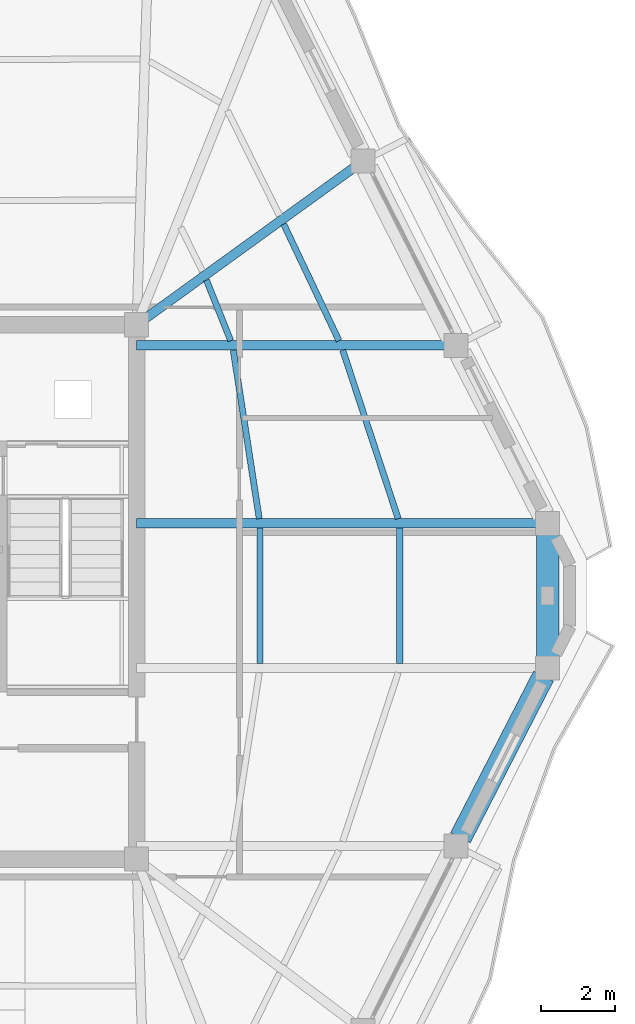
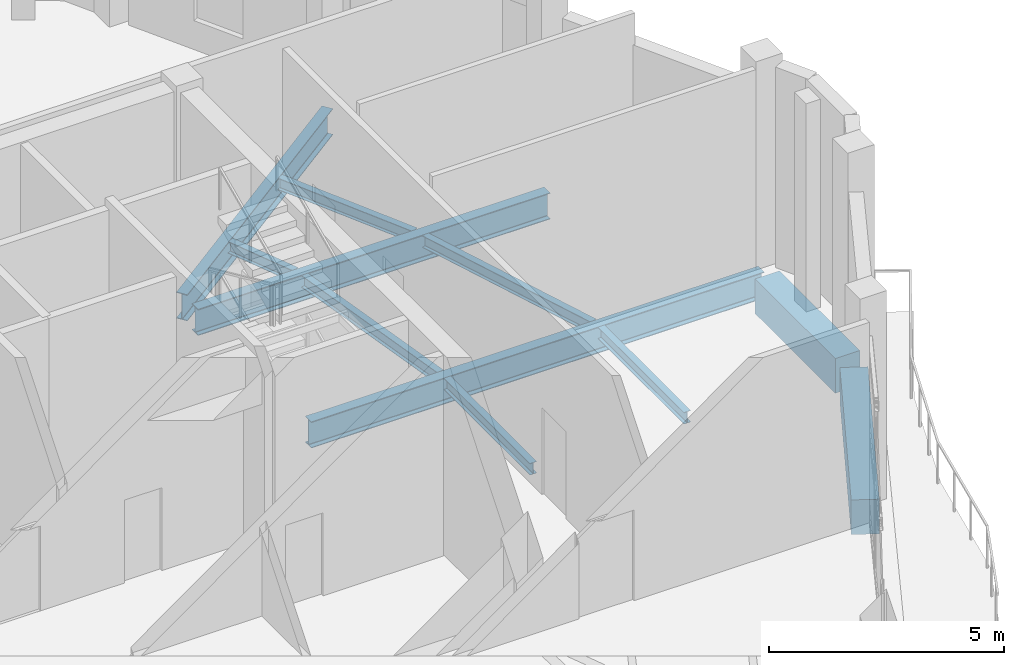
# One storey, part 11 of 23: 11 beams.
"""IFC4 building model written with IfcOpenShell, lengths in metres."""

from ifc_helpers import new_model, si_unit, direction, frame, origin, origin_2d, place, context, subcontext, project, spatial, rectangle, i_section, extrude, material, material_profile, profile_set, type_object, element, save


model = new_model("IFC4")

# Units and contexts
model_context = context("Model", 3, precision=1e-05, world=origin(), true_north=direction((0.0, 1.0)))
body_context = subcontext(model_context, "Body", "Model", "MODEL_VIEW")
ifc_project = project(units=[si_unit("LENGTHUNIT", "METRE"), si_unit("AREAUNIT", "SQUARE_METRE"), si_unit("VOLUMEUNIT", "CUBIC_METRE"), si_unit("PLANEANGLEUNIT", "RADIAN"), si_unit("MASSUNIT", "GRAM", prefix="KILO")], contexts=[model_context])

# Site, building, storey
site_placement = place(None, origin())
site = spatial("IfcSite", under=ifc_project, at=site_placement, CompositionType="ELEMENT")
building_placement = place(site_placement, origin())
building = spatial("IfcBuilding", under=site, at=building_placement, Name="Cinnabar Lancet Tower", CompositionType="ELEMENT")
storey_placement = place(building_placement, frame((0.0, 0.0, 278.10009765625)))
storey = spatial("IfcBuildingStorey", under=building, at=storey_placement, Name="L74", CompositionType="ELEMENT", Elevation=278.10009765625)

# Beams
ifc_material_1 = material(Name="Structural steel S355", Category="steel")
ifc_material_profile_1 = material_profile(ifc_material_1, i_section(OverallWidth=0.1650390625, OverallDepth=0.303466796875, WebThickness=0.006103515625, FlangeThickness=0.01025390625, FilletRadius=0.0087890625, at=origin_2d()), Name="UKB 305x165x40")
ifc_profile_set_1 = profile_set([ifc_material_profile_1], Name="Structural steel S355")
beam_type_1 = type_object("IfcBeamType", Name="STR-BM-JST-305", PredefinedType="JOIST", material=ifc_profile_set_1)
for number, where, z_axis, x_axis, name in (
    (1, (48.737060546875, 23.971923828125, -0.43212890625), (0.0, 1.0, 0.0), (-1.0, 0.0, 0.0), "L74 Secondary Floor Joist 21"),
    (2, (44.958984375, 23.971923828125, -0.43212890625), (0.0, 1.0, 0.0), (-1.0, 0.0, 0.0), "L74 Secondary Floor Joist 22"),
):
    element("IfcBeam", number, at=place(storey_placement, frame(where, z_axis=z_axis, x_axis=x_axis)), inside=storey, type_object=beam_type_1, Name=name, PredefinedType="JOIST", context=body_context, shape_type="SweptSolid", body=[
        extrude(i_section(OverallWidth=0.1650390625, OverallDepth=0.303466796875, WebThickness=0.006103515625, FlangeThickness=0.01025390625, FilletRadius=0.0087890625, at=origin_2d()), origin(), (0.0, 0.0, 1.0), 3.656005859375),
    ])
beam_1_placement = place(storey_placement, frame((48.695068359375, 27.882080078125, -0.43212890625), z_axis=(-0.312424235907, 0.949942680806, 0.0), x_axis=(-0.949942680806, -0.312424235907, 0.0)))
element("IfcBeam", 3, at=beam_1_placement, inside=storey, type_object=beam_type_1, Name="L74 Secondary Floor Joist 23", PredefinedType="JOIST", context=body_context, shape_type="SweptSolid", body=[
    extrude(i_section(OverallWidth=0.1650390625, OverallDepth=0.303466796875, WebThickness=0.006103515625, FlangeThickness=0.01025390625, FilletRadius=0.0087890625, at=origin_2d()), origin(), (0.0, 0.0, 1.0), 4.798095703125),
])
beam_2_placement = place(storey_placement, frame((44.93896484375, 27.882080078125, -0.43212890625), z_axis=(-0.152411222819, 0.988317165266, 0.0), x_axis=(-0.988317165266, -0.152411222819, 0.0)))
element("IfcBeam", 4, at=beam_2_placement, inside=storey, type_object=beam_type_1, Name="L74 Secondary Floor Joist 24", PredefinedType="JOIST", context=body_context, shape_type="SweptSolid", body=[
    extrude(i_section(OverallWidth=0.1650390625, OverallDepth=0.303466796875, WebThickness=0.006103515625, FlangeThickness=0.01025390625, FilletRadius=0.0087890625, at=origin_2d()), origin(), (0.0, 0.0, 1.0), 4.61181640625),
])
beam_3_placement = place(storey_placement, frame((47.093994140625, 32.694091796875, -0.43212890625), z_axis=(-0.4286252598, 0.903482366547, 0.0), x_axis=(-0.903482366547, -0.4286252598, 0.0)))
element("IfcBeam", 5, at=beam_3_placement, inside=storey, type_object=beam_type_1, Name="L74 Secondary Floor Joist 25", PredefinedType="JOIST", context=body_context, shape_type="SweptSolid", body=[
    extrude(i_section(OverallWidth=0.1650390625, OverallDepth=0.303466796875, WebThickness=0.006103515625, FlangeThickness=0.01025390625, FilletRadius=0.0087890625, at=origin_2d()), origin(), (0.0, 0.0, 1.0), 3.4853515625),
])
beam_4_placement = place(storey_placement, frame((44.166015625, 32.694091796875, -0.43212890625), z_axis=(-0.371319090607, 0.928505321983, 0.0), x_axis=(-0.928505321983, -0.371319090607, 0.0)))
element("IfcBeam", 6, at=beam_4_placement, inside=storey, type_object=beam_type_1, Name="L74 Secondary Floor Joist 26", PredefinedType="JOIST", context=body_context, shape_type="SweptSolid", body=[
    extrude(i_section(OverallWidth=0.1650390625, OverallDepth=0.303466796875, WebThickness=0.006103515625, FlangeThickness=0.01025390625, FilletRadius=0.0087890625, at=origin_2d()), origin(), (0.0, 0.0, 1.0), 1.76416015625),
])
ifc_material_2 = material(Name="Concrete C60/75", Category="concrete")
ifc_material_profile_2 = material_profile(ifc_material_2, rectangle(XDim=0.60009765625, YDim=0.89990234375, at=origin_2d()), Name="RC-SB 600x900")
ifc_profile_set_2 = profile_set([ifc_material_profile_2], Name="Concrete C60/75")
beam_type_2 = type_object("IfcBeamType", Name="STR-BM-RCSB-900", PredefinedType="SPANDREL", material=ifc_profile_set_2)
beam_5_placement = place(storey_placement, frame((50.3779296875, 19.2548828125, -0.72998046875), z_axis=(0.457127852293, 0.889400993174, 0.0), x_axis=(-0.889400993174, 0.457127852293, 0.0)))
element("IfcBeam", 7, at=beam_5_placement, inside=storey, type_object=beam_type_2, Name="L74 Perimeter Spandrel 7", PredefinedType="SPANDREL", context=body_context, shape_type="SweptSolid", body=[
    extrude(rectangle(XDim=0.60009765625, YDim=0.89990234375, at=origin_2d()), origin(), (0.0, 0.0, 1.0), 4.911376953125),
])
beam_6_placement = place(storey_placement, frame((52.737060546875, 24.094970703125, -0.72998046875), z_axis=(0.0, 1.0, 0.0), x_axis=(-1.0, 0.0, 0.0)))
element("IfcBeam", 8, at=beam_6_placement, inside=storey, type_object=beam_type_2, Name="L74 Perimeter Spandrel 8", PredefinedType="SPANDREL", context=body_context, shape_type="SweptSolid", body=[
    extrude(rectangle(XDim=0.60009765625, YDim=0.89990234375, at=origin_2d()), origin(), (0.0, 0.0, 1.0), 3.409912109375),
])
ifc_material_3 = material(Name="Structural steel S355", Category="steel")
ifc_material_profile_3 = material_profile(ifc_material_3, i_section(OverallWidth=0.253662109375, OverallDepth=0.68359375, WebThickness=0.012451171875, FlangeThickness=0.01904296875, FilletRadius=0.01513671875, at=origin_2d()), Name="UKB 686x254x140")
ifc_profile_set_3 = profile_set([ifc_material_profile_3], Name="Structural steel S355")
beam_type_3 = type_object("IfcBeamType", Name="STR-BM-UKB686-140", PredefinedType="BEAM", material=ifc_profile_set_3)
beam_7_placement = place(storey_placement, frame((47.7490234375, 37.553955078125, -0.6220703125), z_axis=(-0.810299148474, -0.586016458797, 0.0), x_axis=(0.586016458797, -0.810299148474, 0.0)))
element("IfcBeam", 9, at=beam_7_placement, inside=storey, type_object=beam_type_3, Name="L74 Corner Collector Girder 3", PredefinedType="BEAM", context=body_context, shape_type="SweptSolid", body=[
    extrude(i_section(OverallWidth=0.253662109375, OverallDepth=0.68359375, WebThickness=0.012451171875, FlangeThickness=0.01904296875, FilletRadius=0.01513671875, at=origin_2d()), origin(), (0.0, 0.0, 1.0), 7.5576171875),
])
beam_8_placement = place(storey_placement, frame((52.737060546875, 27.7548828125, -0.6220703125), z_axis=(-1.0, 0.0, 0.0), x_axis=(0.0, -1.0, 0.0)))
element("IfcBeam", 10, at=beam_8_placement, inside=storey, type_object=beam_type_3, Name="L74 Primary Floor Girder 9", PredefinedType="BEAM", context=body_context, shape_type="SweptSolid", body=[
    extrude(i_section(OverallWidth=0.253662109375, OverallDepth=0.68359375, WebThickness=0.012451171875, FlangeThickness=0.01904296875, FilletRadius=0.01513671875, at=origin_2d()), origin(), (0.0, 0.0, 1.0), 11.112060546875),
])
beam_9_placement = place(storey_placement, frame((50.263916015625, 32.56689453125, -0.6220703125), z_axis=(-1.0, 0.0, 0.0), x_axis=(0.0, -1.0, 0.0)))
element("IfcBeam", 11, at=beam_9_placement, inside=storey, type_object=beam_type_3, Name="L74 Primary Floor Girder 10", PredefinedType="BEAM", context=body_context, shape_type="SweptSolid", body=[
    extrude(i_section(OverallWidth=0.253662109375, OverallDepth=0.68359375, WebThickness=0.012451171875, FlangeThickness=0.01904296875, FilletRadius=0.01513671875, at=origin_2d()), origin(), (0.0, 0.0, 1.0), 8.638916015625),
])

save(model, "model.ifc")
